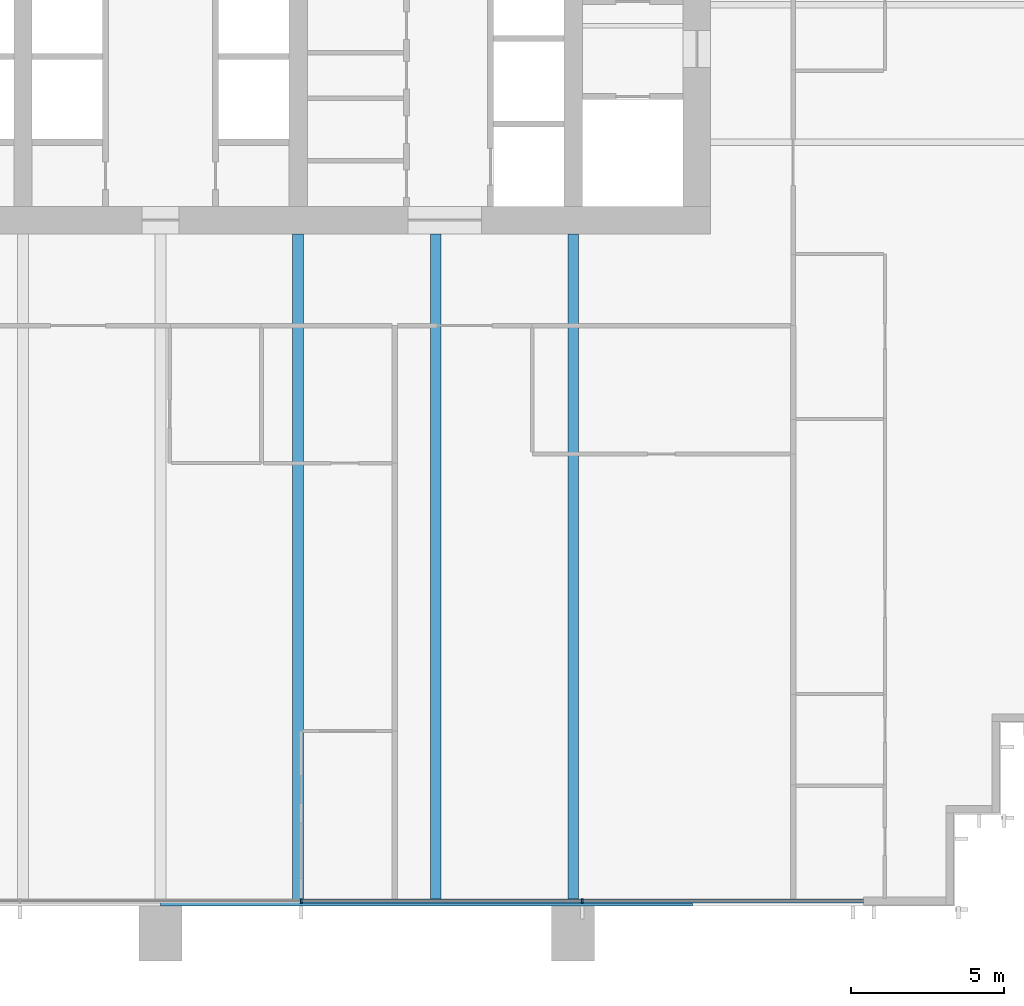
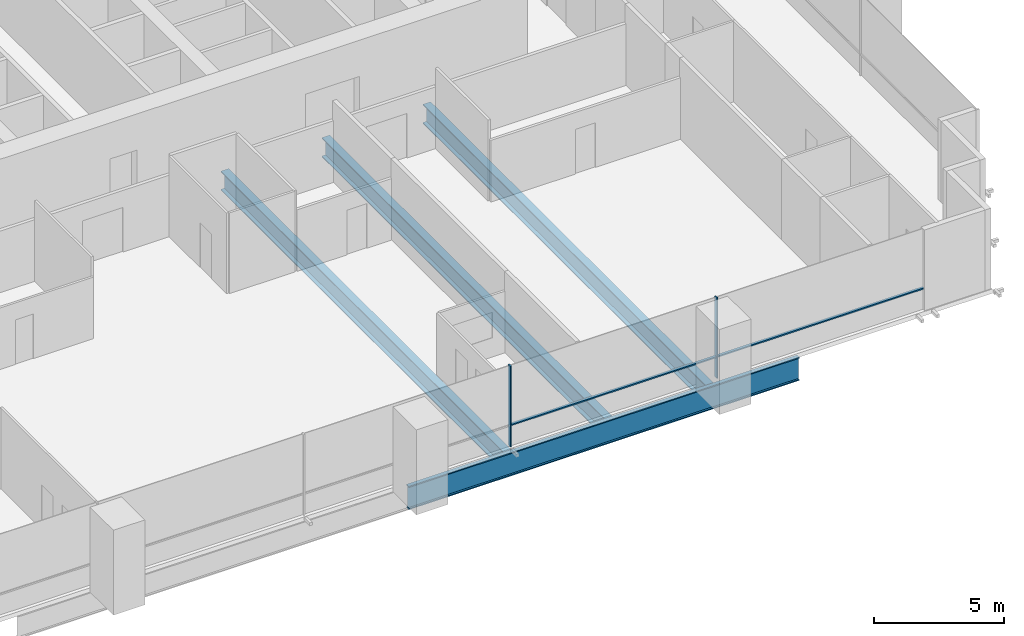
# One storey, part 5 of 16: 4 beams, 4 members, 1 element without a shape of its own.
"""IFC4 building model written with IfcOpenShell, lengths in metres."""

from ifc_helpers import new_model, si_unit, direction, frame, origin, origin_2d, place, context, subcontext, project, spatial, rectangle, i_section, extrude, material, material_profile, profile_set, type_object, element, aggregate, save


model = new_model("IFC4")

# Units and contexts
model_context = context("Model", 3, precision=1e-05, world=origin(), true_north=direction((0.0, 1.0)))
body_context = subcontext(model_context, "Body", "Model", "MODEL_VIEW")
ifc_project = project(units=[si_unit("LENGTHUNIT", "METRE"), si_unit("AREAUNIT", "SQUARE_METRE"), si_unit("VOLUMEUNIT", "CUBIC_METRE"), si_unit("PLANEANGLEUNIT", "RADIAN"), si_unit("MASSUNIT", "GRAM", prefix="KILO")], contexts=[model_context])

# Site, building, storey
site_placement = place(None, origin())
site = spatial("IfcSite", under=ifc_project, at=site_placement, CompositionType="ELEMENT")
building_placement = place(site_placement, origin())
building = spatial("IfcBuilding", under=site, at=building_placement, Name="Rattan Terrace Tower", CompositionType="ELEMENT")
storey_placement = place(building_placement, frame((0.0, 0.0, 130.10009765625)))
storey = spatial("IfcBuildingStorey", under=building, at=storey_placement, Name="L29", CompositionType="ELEMENT", Elevation=130.10009765625)

# Curtain wall, members
ifc_material_1 = material(Name="Aluminium and glass", Category="aluminium")
curtain_wall_type = type_object("IfcCurtainWallType", Name="Facade Unitised Curtain Wall", PredefinedType="NOTDEFINED", material=ifc_material_1)
curtain_wall_placement = place(storey_placement, origin())
curtain_wall = element("IfcCurtainWall", 1, at=curtain_wall_placement, inside=storey, type_object=curtain_wall_type, Name="Curtain wall L29-4", PredefinedType="NOTDEFINED")
ifc_material_2 = material(Name="Aluminium", Category="aluminium")
ifc_material_profile_1 = material_profile(ifc_material_2, rectangle(XDim=0.06005859375, YDim=0.159912109375, at=origin_2d()), Name="Aluminium 60x160")
ifc_profile_set_1 = profile_set([ifc_material_profile_1], Name="Aluminium")
member_type_1 = type_object("IfcMemberType", Name="Facade CW Mullion 60x160", PredefinedType="MULLION", material=ifc_profile_set_1)
member_1_placement = place(storey_placement, frame((4.60302734375, -29.330078125, 0.0), z_axis=(0.0, 0.0, 1.0), x_axis=(1.0, 0.0, 0.0)))
member_1 = element("IfcMember", 2, at=member_1_placement, type_object=member_type_1, Name="Mullion cwl-L29-004.4", PredefinedType="MULLION", context=body_context, shape_type="SweptSolid", body=[
    extrude(rectangle(XDim=0.06005859375, YDim=0.159912109375, at=origin_2d()), origin(), (0.0, 0.0, 1.0), 3.7998046875),
])
member_2_placement = place(storey_placement, frame((13.803955078125, -29.330078125, 0.0), z_axis=(0.0, 0.0, 1.0), x_axis=(1.0, 0.0, 0.0)))
member_2 = element("IfcMember", 3, at=member_2_placement, type_object=member_type_1, Name="Mullion cwl-L29-004.5", PredefinedType="MULLION", context=body_context, shape_type="SweptSolid", body=[
    extrude(rectangle(XDim=0.06005859375, YDim=0.159912109375, at=origin_2d()), origin(), (0.0, 0.0, 1.0), 3.7998046875),
])
ifc_material_3 = material(Name="Aluminium", Category="aluminium")
ifc_material_profile_2 = material_profile(ifc_material_3, rectangle(XDim=0.1201171875, YDim=0.06005859375, at=origin_2d()), Name="Aluminium 120x60")
ifc_profile_set_2 = profile_set([ifc_material_profile_2], Name="Aluminium")
member_type_2 = type_object("IfcMemberType", Name="Facade CW Transom 120x60", PredefinedType="USERDEFINED", material=ifc_profile_set_2)
member_3_placement = place(storey_placement, frame((4.633056640625, -29.330078125, 1.0), z_axis=(1.0, 0.0, 0.0), x_axis=(0.0, 1.0, 0.0)))
member_3 = element("IfcMember", 4, at=member_3_placement, type_object=member_type_2, Name="Transom cwl-L29-004.4", ObjectType="TRANSOM", PredefinedType="USERDEFINED", context=body_context, shape_type="SweptSolid", body=[
    extrude(rectangle(XDim=0.1201171875, YDim=0.06005859375, at=origin_2d()), origin(), (0.0, 0.0, 1.0), 9.140869140625),
])
member_4_placement = place(storey_placement, frame((13.833984375, -29.330078125, 1.0), z_axis=(1.0, 0.0, 0.0), x_axis=(0.0, 1.0, 0.0)))
member_4 = element("IfcMember", 5, at=member_4_placement, type_object=member_type_2, Name="Transom cwl-L29-004.5", ObjectType="TRANSOM", PredefinedType="USERDEFINED", context=body_context, shape_type="SweptSolid", body=[
    extrude(rectangle(XDim=0.1201171875, YDim=0.06005859375, at=origin_2d()), origin(), (0.0, 0.0, 1.0), 9.166015625),
])
aggregate(curtain_wall, [member_1, member_2, member_3, member_4])

# Beams
ifc_material_4 = material(Name="Steel S460", Category="steel")
ifc_material_profile_3 = material_profile(ifc_material_4, i_section(OverallWidth=0.179931640625, OverallDepth=1.10009765625, WebThickness=0.01611328125, FlangeThickness=0.050048828125, at=origin_2d()), Name="PG 1100x180-16-50")
ifc_profile_set_3 = profile_set([ifc_material_profile_3], Name="Steel S460")
beam_type_1 = type_object("IfcBeamType", Name="Frame edge girder PG 1100x180-16-50", PredefinedType="SPANDREL", material=ifc_profile_set_3)
beam_placement = place(storey_placement, frame((17.39990234375, -29.409912109375, -0.75), z_axis=(-1.0, 0.0, 0.0), x_axis=(0.0, -1.0, 0.0)))
element("IfcBeam", 6, at=beam_placement, inside=storey, type_object=beam_type_1, Name="gdr-L29-002", PredefinedType="SPANDREL", context=body_context, shape_type="SweptSolid", body=[
    extrude(i_section(OverallWidth=0.179931640625, OverallDepth=1.10009765625, WebThickness=0.01611328125, FlangeThickness=0.050048828125, at=origin_2d()), origin(), (0.0, 0.0, 1.0), 17.39990234375),
])
ifc_material_5 = material(Name="Steel S460", Category="steel")
ifc_material_profile_4 = material_profile(ifc_material_5, i_section(OverallWidth=0.35009765625, OverallDepth=0.89990234375, WebThickness=0.013916015625, FlangeThickness=0.0400390625, at=origin_2d()), Name="PG 900x350-14-40")
ifc_profile_set_4 = profile_set([ifc_material_profile_4], Name="Steel S460")
beam_type_2 = type_object("IfcBeamType", Name="Frame floor beam PG 900x350-14-40", PredefinedType="JOIST", material=ifc_profile_set_4)
for number, where, z_axis, x_axis, name in (
    (7, (4.5, -29.320068359375, -0.650146484375), (0.0, 1.0, 0.0), (-1.0, 0.0, 0.0), "bm-L29-007"),
    (8, (9.0, -29.320068359375, -0.650146484375), (0.0, 1.0, 0.0), (-1.0, 0.0, 0.0), "bm-L29-008"),
    (9, (13.5, -29.320068359375, -0.650146484375), (0.0, 1.0, 0.0), (-1.0, 0.0, 0.0), "bm-L29-009"),
):
    element("IfcBeam", number, at=place(storey_placement, frame(where, z_axis=z_axis, x_axis=x_axis)), inside=storey, type_object=beam_type_2, Name=name, PredefinedType="JOIST", context=body_context, shape_type="SweptSolid", body=[
        extrude(i_section(OverallWidth=0.35009765625, OverallDepth=0.89990234375, WebThickness=0.013916015625, FlangeThickness=0.0400390625, at=origin_2d()), origin(), (0.0, 0.0, 1.0), 21.820068359375),
    ])

save(model, "model.ifc")
